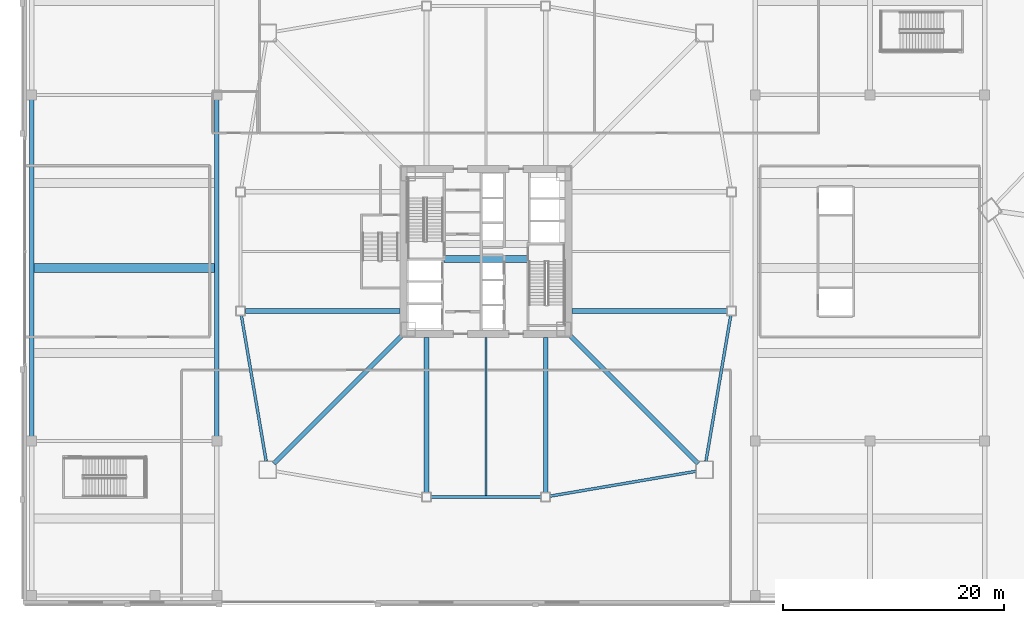
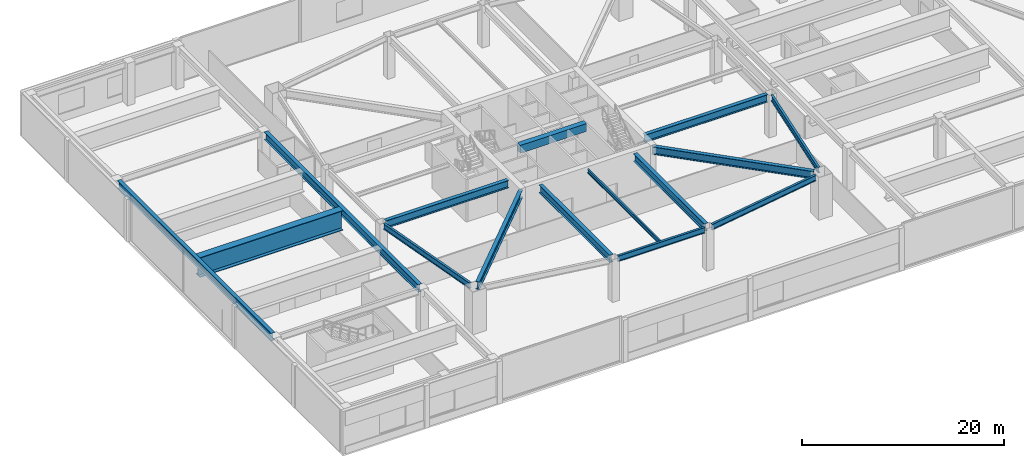
# One storey, part 9 of 48: 15 beams.
"""IFC4 building model written with IfcOpenShell, lengths in metres."""

from ifc_helpers import new_model, si_unit, direction, frame, origin, origin_2d, place, context, subcontext, project, spatial, rectangle, i_section, extrude, material, material_profile, profile_set, type_object, element, save


model = new_model("IFC4")

# Units and contexts
model_context = context("Model", 3, precision=1e-05, world=origin(), true_north=direction((0.0, 1.0)))
body_context = subcontext(model_context, "Body", "Model", "MODEL_VIEW")
ifc_project = project(units=[si_unit("LENGTHUNIT", "METRE"), si_unit("AREAUNIT", "SQUARE_METRE"), si_unit("VOLUMEUNIT", "CUBIC_METRE"), si_unit("PLANEANGLEUNIT", "RADIAN"), si_unit("MASSUNIT", "GRAM", prefix="KILO")], contexts=[model_context])

# Site, building, storey
site_placement = place(None, origin())
site = spatial("IfcSite", under=ifc_project, at=site_placement, CompositionType="ELEMENT")
building_placement = place(site_placement, origin())
building = spatial("IfcBuilding", under=site, at=building_placement, Name="Tashvorn Skyway Center", CompositionType="ELEMENT")
storey_placement = place(building_placement, frame((0.0, 0.0, 10.199951171875)))
storey = spatial("IfcBuildingStorey", under=building, at=storey_placement, Name="L02", CompositionType="ELEMENT", Elevation=10.199951171875)

# Beams
ifc_material_1 = material(Name="Steel ASTM A572 Grade 50", Category="steel")
ifc_material_profile_1 = material_profile(ifc_material_1, i_section(OverallWidth=0.800048828125, OverallDepth=2.39990234375, WebThickness=0.035888671875, FlangeThickness=0.06005859375, at=origin_2d()), Name="PG2400x800")
ifc_profile_set_1 = profile_set([ifc_material_profile_1], Name="Steel ASTM A572 Grade 50")
beam_type_1 = type_object("IfcBeamType", Name="BM-BEAM-PG2400x800", PredefinedType="BEAM", material=ifc_profile_set_1)
beam_1_placement = place(storey_placement, frame((1.00146484375, 30.5, 3.93994140625), z_axis=(1.0, 0.0, 0.0), x_axis=(0.0, 1.0, 0.0)))
element("IfcBeam", 1, at=beam_1_placement, inside=storey, type_object=beam_type_1, Name="L02 West Auditorium Span Girder 05", PredefinedType="BEAM", context=body_context, shape_type="SweptSolid", body=[
    extrude(i_section(OverallWidth=0.800048828125, OverallDepth=2.39990234375, WebThickness=0.035888671875, FlangeThickness=0.06005859375, at=origin_2d()), origin(), (0.0, 0.0, 1.0), 16.39697265625),
])
ifc_material_2 = material(Name="Steel ASTM A913 Grade 65", Category="steel")
ifc_material_profile_2 = material_profile(ifc_material_2, i_section(OverallWidth=0.4189453125, OverallDepth=0.927001953125, WebThickness=0.019287109375, FlangeThickness=0.031982421875, at=origin_2d()), Name="W36X231")
ifc_profile_set_2 = profile_set([ifc_material_profile_2], Name="Steel ASTM A913 Grade 65")
beam_type_2 = type_object("IfcBeamType", Name="BM-BEAM-W36X231", PredefinedType="BEAM", material=ifc_profile_set_2)
for number, where, z_axis, x_axis, name in (
    (2, (22.76220703125, 12.76220703125, 4.676513671875), (0.707106781187, 0.707106781187, 0.0), (-0.707106781187, 0.707106781187, 0.0), "Tower 1 L02 Primary Floor Girder MC-SW"),
    (3, (61.23779296875, 12.76220703125, 4.676513671875), (-0.707106781187, 0.707106781187, 0.0), (-0.707106781187, -0.707106781187, 0.0), "Tower 1 L02 Primary Floor Girder MC-SE"),
):
    element("IfcBeam", number, at=place(storey_placement, frame(where, z_axis=z_axis, x_axis=x_axis)), inside=storey, type_object=beam_type_2, Name=name, PredefinedType="BEAM", context=body_context, shape_type="SweptSolid", body=[
        extrude(i_section(OverallWidth=0.4189453125, OverallDepth=0.927001953125, WebThickness=0.019287109375, FlangeThickness=0.031982421875, at=origin_2d()), origin(), (0.0, 0.0, 1.0), 16.591064453125),
    ])
for number, where, z_axis, x_axis, name in (
    (4, (36.60009765625, 10.169921875, 4.676513671875), (0.0, 1.0, 0.0), (-1.0, 0.0, 0.0), "Tower 1 L02 Primary Floor Girder FC-S1"),
    (5, (47.39990234375, 10.169921875, 4.676513671875), (0.0, 1.0, 0.0), (-1.0, 0.0, 0.0), "Tower 1 L02 Primary Floor Girder FC-S2"),
    (6, (63.830078125, 26.60009765625, 4.676513671875), (-1.0, 0.0, 0.0), (0.0, -1.0, 0.0), "Tower 1 L02 Primary Floor Girder FC-E1"),
    (7, (20.169921875, 26.60009765625, 4.676513671875), (1.0, 0.0, 0.0), (0.0, 1.0, 0.0), "Tower 1 L02 Primary Floor Girder FC-W2"),
):
    element("IfcBeam", number, at=place(storey_placement, frame(where, z_axis=z_axis, x_axis=x_axis)), inside=storey, type_object=beam_type_2, Name=name, PredefinedType="BEAM", context=body_context, shape_type="SweptSolid", body=[
        extrude(i_section(OverallWidth=0.4189453125, OverallDepth=0.927001953125, WebThickness=0.019287109375, FlangeThickness=0.031982421875, at=origin_2d()), origin(), (0.0, 0.0, 1.0), 14.050048828125),
    ])
for number, where, z_axis, x_axis, name in (
    (8, (0.800048828125, 15.2451171875, 4.676513671875), (0.0, 1.0, 0.0), (-1.0, 0.0, 0.0), "L02 North-South Podium Girder 01-M"),
    (9, (17.60009765625, 15.2451171875, 4.676513671875), (0.0, 1.0, 0.0), (-1.0, 0.0, 0.0), "L02 North-South Podium Girder 02-M"),
):
    element("IfcBeam", number, at=place(storey_placement, frame(where, z_axis=z_axis, x_axis=x_axis)), inside=storey, type_object=beam_type_2, Name=name, PredefinedType="BEAM", context=body_context, shape_type="SweptSolid", body=[
        extrude(i_section(OverallWidth=0.4189453125, OverallDepth=0.927001953125, WebThickness=0.019287109375, FlangeThickness=0.031982421875, at=origin_2d()), origin(), (0.0, 0.0, 1.0), 30.509765625),
    ])
ifc_material_3 = material(Name="Steel ASTM A992 Grade 50", Category="steel")
ifc_material_profile_3 = material_profile(ifc_material_3, i_section(OverallWidth=0.19091796875, OverallDepth=0.4599609375, WebThickness=0.010009765625, FlangeThickness=0.01611328125, at=origin_2d()), Name="W18X55")
ifc_profile_set_3 = profile_set([ifc_material_profile_3], Name="Steel ASTM A992 Grade 50")
beam_type_3 = type_object("IfcBeamType", Name="BM-JOIST-W18X55", PredefinedType="JOIST", material=ifc_profile_set_3)
beam_2_placement = place(storey_placement, frame((42.0, 24.2099609375, 4.91015625), z_axis=(0.0, -1.0, 0.0), x_axis=(1.0, 0.0, 0.0)))
element("IfcBeam", 10, at=beam_2_placement, inside=storey, type_object=beam_type_3, Name="Tower 1 L02 Secondary Composite Joist JS", PredefinedType="JOIST", context=body_context, shape_type="SweptSolid", body=[
    extrude(i_section(OverallWidth=0.19091796875, OverallDepth=0.4599609375, WebThickness=0.010009765625, FlangeThickness=0.01611328125, at=origin_2d()), origin(), (0.0, 0.0, 1.0), 14.33984375),
])
ifc_material_4 = material(Name="Concrete C60/75", Category="concrete")
ifc_material_profile_4 = material_profile(ifc_material_4, rectangle(XDim=0.60009765625, YDim=0.949951171875, at=origin_2d()), Name="RCB600x950")
ifc_profile_set_4 = profile_set([ifc_material_profile_4], Name="Concrete C60/75")
beam_type_4 = type_object("IfcBeamType", Name="BM-LINTEL-RCB600x950", PredefinedType="LINTEL", material=ifc_profile_set_4)
beam_3_placement = place(storey_placement, frame((38.199951171875, 31.320068359375, 4.6650390625), z_axis=(1.0, 0.0, 0.0), x_axis=(0.0, 1.0, 0.0)))
element("IfcBeam", 11, at=beam_3_placement, inside=storey, type_object=beam_type_4, Name="Tower 1 L02 Core Coupling Beam CS", PredefinedType="LINTEL", context=body_context, shape_type="SweptSolid", body=[
    extrude(rectangle(XDim=0.60009765625, YDim=0.949951171875, at=origin_2d()), origin(), (0.0, 0.0, 1.0), 7.60009765625),
])
ifc_material_profile_5 = material_profile(ifc_material_3, i_section(OverallWidth=0.256103515625, OverallDepth=0.693115234375, WebThickness=0.014404296875, FlangeThickness=0.023681640625, at=origin_2d()), Name="W27X114")
ifc_profile_set_5 = profile_set([ifc_material_profile_5], Name="Steel ASTM A992 Grade 50")
beam_type_5 = type_object("IfcBeamType", Name="BM-SPANDREL-W27X114", PredefinedType="SPANDREL", material=ifc_profile_set_5)
beam_4_placement = place(storey_placement, frame((37.02001953125, 9.75, 4.79345703125), z_axis=(1.0, 0.0, 0.0), x_axis=(0.0, 1.0, 0.0)))
element("IfcBeam", 12, at=beam_4_placement, inside=storey, type_object=beam_type_5, Name="Tower 1 L02 Spandrel Beam 02", PredefinedType="SPANDREL", context=body_context, shape_type="SweptSolid", body=[
    extrude(i_section(OverallWidth=0.256103515625, OverallDepth=0.693115234375, WebThickness=0.014404296875, FlangeThickness=0.023681640625, at=origin_2d()), origin(), (0.0, 0.0, 1.0), 9.9599609375),
])
for number, where, z_axis, x_axis, name in (
    (13, (47.81396484375, 9.820556640625, 4.79345703125), (0.985835025551, 0.16771792509, 0.0), (-0.16771792509, 0.985835025551, 0.0), "Tower 1 L02 Spandrel Beam 03"),
    (14, (61.933349609375, 12.983642578125, 4.79345703125), (0.16771792509, 0.985835025551, 0.0), (-0.985835025551, 0.16771792509, 0.0), "Tower 1 L02 Spandrel Beam 04"),
    (15, (19.820556640625, 26.18603515625, 4.79345703125), (0.16771792509, -0.985835025551, 0.0), (0.985835025551, 0.16771792509, 0.0), "Tower 1 L02 Spandrel Beam 12"),
):
    element("IfcBeam", number, at=place(storey_placement, frame(where, z_axis=z_axis, x_axis=x_axis)), inside=storey, type_object=beam_type_5, Name=name, PredefinedType="SPANDREL", context=body_context, shape_type="SweptSolid", body=[
        extrude(i_section(OverallWidth=0.256103515625, OverallDepth=0.693115234375, WebThickness=0.014404296875, FlangeThickness=0.023681640625, at=origin_2d()), origin(), (0.0, 0.0, 1.0), 13.39208984375),
    ])

save(model, "model.ifc")
